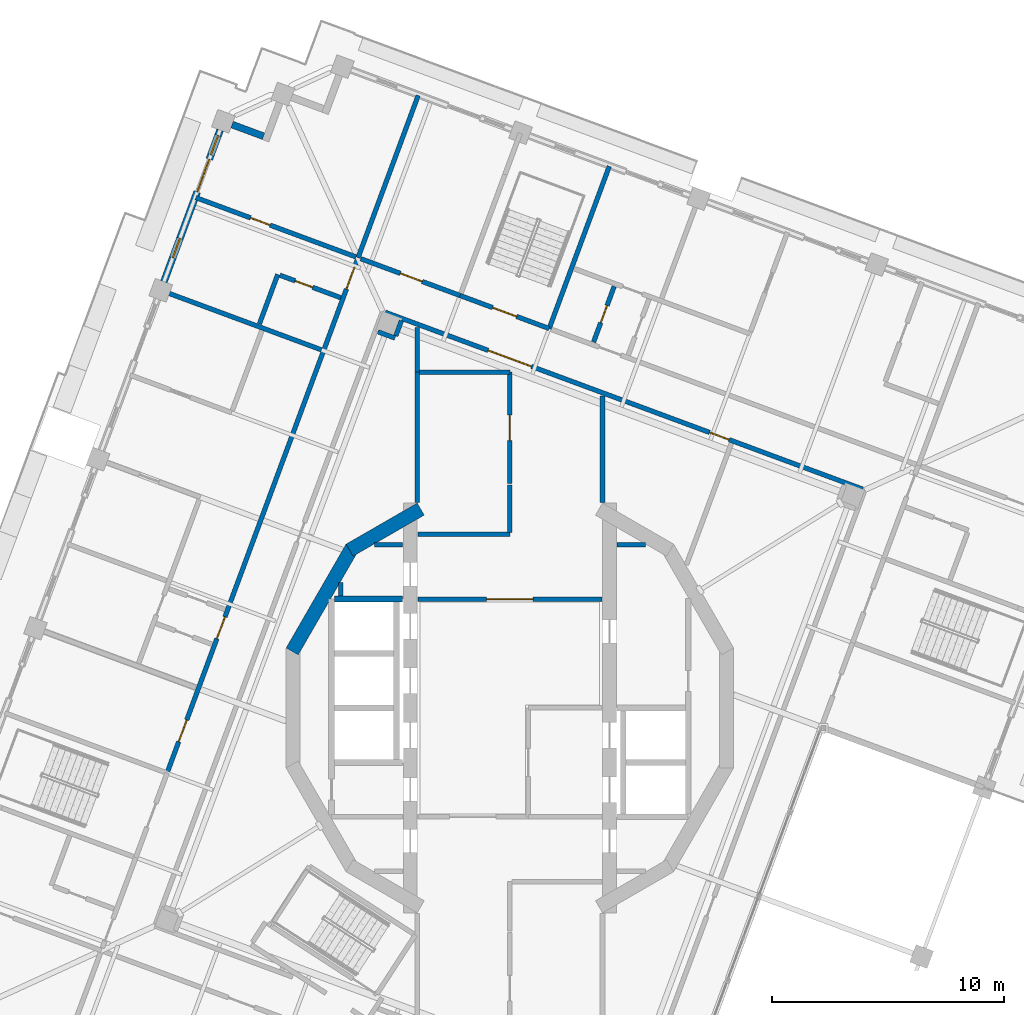
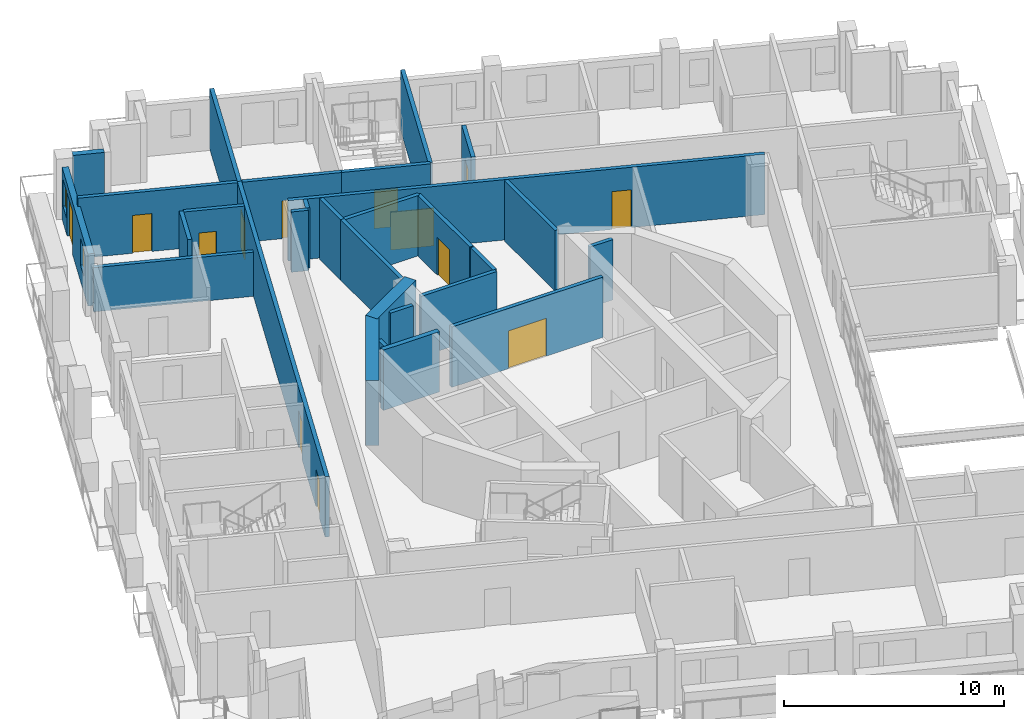
# One storey, part 9 of 19: 29 walls, 13 doors, 2 windows, 15 openings.
"""IFC4 building model written with IfcOpenShell, lengths in metres."""

from ifc_helpers import new_model, si_unit, direction, frame, frame_2d, origin, place, context, subcontext, project, spatial, rectangle, extrude, material, layer, layer_set, type_object, element, fill, save


model = new_model("IFC4")

# Units and contexts
model_context = context("Model", 3, precision=1e-05, world=origin(), true_north=direction((0.0, 1.0)))
body_context = subcontext(model_context, "Body", "Model", "MODEL_VIEW")
ifc_project = project(units=[si_unit("LENGTHUNIT", "METRE"), si_unit("AREAUNIT", "SQUARE_METRE"), si_unit("VOLUMEUNIT", "CUBIC_METRE"), si_unit("PLANEANGLEUNIT", "RADIAN"), si_unit("MASSUNIT", "GRAM", prefix="KILO")], contexts=[model_context])

# Site, building, storey
site_placement = place(None, origin())
site = spatial("IfcSite", under=ifc_project, at=site_placement, CompositionType="ELEMENT")
building_placement = place(site_placement, origin())
building = spatial("IfcBuilding", under=site, at=building_placement, Name="Cantera Rosa Tower", CompositionType="ELEMENT")
storey_placement = place(building_placement, frame((0.0, 0.0, 334.89990234375)))
storey = spatial("IfcBuildingStorey", under=building, at=storey_placement, Name="L75", CompositionType="ELEMENT", Elevation=334.89990234375)

# Wall, openings, doors
ifc_material_1 = material(Name="Gypsum board partition")
ifc_layer_1 = layer(ifc_material_1, 0.199951171875)
ifc_layer_set_1 = layer_set([ifc_layer_1], Name="CORRIDOR WALL 200 H3350")
wall_type_1 = type_object("IfcWallType", Name="CORRIDOR WALL 200 H3350", PredefinedType="PARTITIONING", material=ifc_layer_set_1)
wall_1_placement = place(storey_placement, frame((-6.5537109375, 19.438720703125, 0.0), z_axis=(0.0, 0.0, 1.0), x_axis=(-0.347483565428, -0.937686073138, 0.0)))
wall_1 = element("IfcWall", 1, at=wall_1_placement, inside=storey, type_object=wall_type_1, Name="CORRIDOR WALL L75-036", PredefinedType="PARTITIONING", context=body_context, shape_type="SweptSolid", body=[
    extrude(rectangle(XDim=23.730224609375, YDim=0.199951171875, at=frame_2d((11.865234375, 0.0))), origin(), (0.0, 0.0, 1.0), 3.35009765625),
])
opening_1_placement = place(wall_1_placement, frame((16.5400390625, 0.0, 0.0)))
opening_1 = element("IfcOpeningElement", 2, at=opening_1_placement, cuts=wall_1, Name="Opening L75-028", PredefinedType="OPENING", context=body_context, shape_type="SweptSolid", body=[
    extrude(rectangle(XDim=1.0, YDim=2.10009765625, at=frame_2d((0.5, 1.050048828125))), frame((0.0, 0.10986328125, 0.0), z_axis=(0.0, -1.0, 0.0), x_axis=(1.0, 0.0, 0.0)), (0.0, 0.0, 1.0), 0.219970703125),
])
opening_2_placement = place(wall_1_placement, frame((21.284912109375, 0.0, 0.0)))
opening_2 = element("IfcOpeningElement", 3, at=opening_2_placement, cuts=wall_1, Name="Opening L75-034", PredefinedType="OPENING", context=body_context, shape_type="SweptSolid", body=[
    extrude(rectangle(XDim=1.0, YDim=2.10009765625, at=frame_2d((0.5, 1.050048828125))), frame((0.0, 0.10986328125, 0.0), z_axis=(0.0, -1.0, 0.0), x_axis=(1.0, 0.0, 0.0)), (0.0, 0.0, 1.0), 0.219970703125),
])
opening_3_placement = place(wall_1_placement, frame((0.43994140625, 0.0, 0.0)))
opening_3 = element("IfcOpeningElement", 4, at=opening_3_placement, cuts=wall_1, Name="Opening L75-035", PredefinedType="OPENING", context=body_context, shape_type="SweptSolid", body=[
    extrude(rectangle(XDim=1.0, YDim=2.10009765625, at=frame_2d((0.5, 1.050048828125))), frame((0.0, 0.10986328125, 0.0), z_axis=(0.0, -1.0, 0.0), x_axis=(1.0, 0.0, 0.0)), (0.0, 0.0, 1.0), 0.219970703125),
])
ifc_material_2 = material(Name="Timber door leaf", Category="wood")
door_type_1 = type_object("IfcDoorType", Name="ENTRANCE DOOR 1000x2100", OperationType="NOTDEFINED", PredefinedType="DOOR", material=ifc_material_2)
door_1_placement = place(opening_1_placement, origin())
door_1 = element("IfcDoor", 5, at=door_1_placement, inside=storey, type_object=door_type_1, Name="DOOR L75-028", OperationType="NOTDEFINED", OverallHeight=2.10009765625, OverallWidth=1.0, PredefinedType="DOOR", context=body_context, shape_type="SweptSolid", body=[
    extrude(rectangle(XDim=1.0, YDim=2.10009765625, at=frame_2d((0.5, 1.050048828125))), frame((0.0, 0.02490234375, 0.0), z_axis=(0.0, -1.0, 0.0), x_axis=(1.0, 0.0, 0.0)), (0.0, 0.0, 1.0), 0.050048828125),
])
fill(opening_1, door_1)
door_2_placement = place(opening_3_placement, origin())
door_2 = element("IfcDoor", 6, at=door_2_placement, inside=storey, type_object=door_type_1, Name="DOOR L75-035", OperationType="NOTDEFINED", OverallHeight=2.10009765625, OverallWidth=1.0, PredefinedType="DOOR", context=body_context, shape_type="SweptSolid", body=[
    extrude(rectangle(XDim=1.0, YDim=2.10009765625, at=frame_2d((0.5, 1.050048828125))), frame((0.0, 0.02490234375, 0.0), z_axis=(0.0, -1.0, 0.0), x_axis=(1.0, 0.0, 0.0)), (0.0, 0.0, 1.0), 0.050048828125),
])
fill(opening_3, door_2)
ifc_material_3 = material(Name="Timber door leaf", Category="wood")
door_type_2 = type_object("IfcDoorType", Name="ROOM DOOR 1000x2100", OperationType="NOTDEFINED", PredefinedType="DOOR", material=ifc_material_3)
door_3_placement = place(opening_2_placement, origin())
door_3 = element("IfcDoor", 7, at=door_3_placement, inside=storey, type_object=door_type_2, Name="DOOR L75-034", OperationType="NOTDEFINED", OverallHeight=2.10009765625, OverallWidth=1.0, PredefinedType="DOOR", context=body_context, shape_type="SweptSolid", body=[
    extrude(rectangle(XDim=1.0, YDim=2.10009765625, at=frame_2d((0.5, 1.050048828125))), frame((0.0, 0.02490234375, 0.0), z_axis=(0.0, -1.0, 0.0), x_axis=(1.0, 0.0, 0.0)), (0.0, 0.0, 1.0), 0.050048828125),
])
fill(opening_2, door_3)

# Wall
wall_2_placement = place(storey_placement, frame((-4.0, 16.4326171875, 0.0), z_axis=(0.0, 0.0, 1.0), x_axis=(0.0, -1.0, 0.0)))
element("IfcWall", 8, at=wall_2_placement, inside=storey, type_object=wall_type_1, Name="CORRIDOR WALL L75-054", PredefinedType="PARTITIONING", context=body_context, shape_type="SweptSolid", body=[
    extrude(rectangle(XDim=1.9326171875, YDim=0.199951171875, at=frame_2d((0.96630859375, 0.0))), origin(), (0.0, 0.0, 1.0), 3.35009765625),
])

# Wall, opening, door
wall_3_placement = place(storey_placement, frame((-3.969970703125, 4.699951171875, 0.0), z_axis=(0.0, 0.0, 1.0), x_axis=(1.0, 0.0, 0.0)))
wall_3 = element("IfcWall", 9, at=wall_3_placement, inside=storey, type_object=wall_type_1, Name="CORRIDOR WALL L75-055", PredefinedType="PARTITIONING", context=body_context, shape_type="SweptSolid", body=[
    extrude(rectangle(XDim=7.93994140625, YDim=0.199951171875, at=frame_2d((3.969970703125, 0.0))), origin(), (0.0, 0.0, 1.0), 3.35009765625),
])
opening_4_placement = place(wall_3_placement, frame((2.969970703125, 0.0, 0.0)))
opening_4 = element("IfcOpeningElement", 10, at=opening_4_placement, cuts=wall_3, Name="Opening L75-010", PredefinedType="OPENING", context=body_context, shape_type="SweptSolid", body=[
    extrude(rectangle(XDim=2.0, YDim=2.10009765625, at=frame_2d((1.0, 1.050048828125))), frame((0.0, 0.10986328125, 0.0), z_axis=(0.0, -1.0, 0.0), x_axis=(1.0, 0.0, 0.0)), (0.0, 0.0, 1.0), 0.219970703125),
])
ifc_material_4 = material(Name="Steel S355J2 (EN 10025-2)", Category="steel")
door_type_3 = type_object("IfcDoorType", Name="LOBBY SCREEN DOOR 2000x2100", OperationType="NOTDEFINED", PredefinedType="DOOR", material=ifc_material_4)
door_4_placement = place(opening_4_placement, origin())
door_4 = element("IfcDoor", 11, at=door_4_placement, inside=storey, type_object=door_type_3, Name="DOOR L75-010", OperationType="NOTDEFINED", OverallHeight=2.10009765625, OverallWidth=2.0, PredefinedType="DOOR", context=body_context, shape_type="SweptSolid", body=[
    extrude(rectangle(XDim=2.0, YDim=2.10009765625, at=frame_2d((1.0, 1.050048828125))), frame((0.0, 0.02490234375, 0.0), z_axis=(0.0, -1.0, 0.0), x_axis=(1.0, 0.0, 0.0)), (0.0, 0.0, 1.0), 0.050048828125),
])
fill(opening_4, door_4)

# Wall
wall_4_placement = place(storey_placement, frame((-3.969970703125, 7.5, 0.0), z_axis=(0.0, 0.0, 1.0), x_axis=(1.0, 0.0, 0.0)))
element("IfcWall", 12, at=wall_4_placement, inside=storey, type_object=wall_type_1, Name="CORRIDOR WALL L75-056", PredefinedType="PARTITIONING", context=body_context, shape_type="SweptSolid", body=[
    extrude(rectangle(XDim=3.969970703125, YDim=0.199951171875, at=frame_2d((1.98486328125, 0.0))), origin(), (0.0, 0.0, 1.0), 3.35009765625),
])

# Wall, opening, door
wall_5_placement = place(storey_placement, frame((-2.146728515625, 17.805419921875, 0.0), z_axis=(0.0, 0.0, 1.0), x_axis=(-0.937682514707, 0.347493167721, 0.0)))
wall_5 = element("IfcWall", 13, at=wall_5_placement, inside=storey, type_object=wall_type_1, Name="CORRIDOR WALL L75-060", PredefinedType="PARTITIONING", context=body_context, shape_type="SweptSolid", body=[
    extrude(rectangle(XDim=4.580078125, YDim=0.199951171875, at=frame_2d((2.2900390625, 0.0))), origin(), (0.0, 0.0, 1.0), 3.35009765625),
])
opening_5_placement = place(wall_5_placement, frame((1.75, 0.0, 0.0)))
opening_5 = element("IfcOpeningElement", 14, at=opening_5_placement, cuts=wall_5, Name="Opening L75-027", PredefinedType="OPENING", context=body_context, shape_type="SweptSolid", body=[
    extrude(rectangle(XDim=1.0, YDim=2.10009765625, at=frame_2d((0.5, 1.050048828125))), frame((0.0, 0.10986328125, 0.0), z_axis=(0.0, -1.0, 0.0), x_axis=(1.0, 0.0, 0.0)), (0.0, 0.0, 1.0), 0.219970703125),
])
door_5_placement = place(opening_5_placement, origin())
door_5 = element("IfcDoor", 15, at=door_5_placement, inside=storey, type_object=door_type_2, Name="DOOR L75-027", OperationType="NOTDEFINED", OverallHeight=2.10009765625, OverallWidth=1.0, PredefinedType="DOOR", context=body_context, shape_type="SweptSolid", body=[
    extrude(rectangle(XDim=1.0, YDim=2.10009765625, at=frame_2d((0.5, 1.050048828125))), frame((0.0, 0.02490234375, 0.0), z_axis=(0.0, -1.0, 0.0), x_axis=(1.0, 0.0, 0.0)), (0.0, 0.0, 1.0), 0.050048828125),
])
fill(opening_5, door_5)

# Wall
wall_6_placement = place(storey_placement, frame((0.0, 7.580078125, 0.0), z_axis=(0.0, 0.0, 1.0), x_axis=(0.0, 1.0, 0.0)))
element("IfcWall", 16, at=wall_6_placement, inside=storey, type_object=wall_type_1, Name="CORRIDOR WALL L75-065", PredefinedType="PARTITIONING", context=body_context, shape_type="SweptSolid", body=[
    extrude(rectangle(XDim=2.04931640625, YDim=0.199951171875, at=frame_2d((1.024658203125, 0.0))), origin(), (0.0, 0.0, 1.0), 3.35009765625),
])

# Wall, opening, door
wall_7_placement = place(storey_placement, frame((0.0, 9.689208984375, 0.0), z_axis=(0.0, 0.0, 1.0), x_axis=(0.0, 1.0, 0.0)))
wall_7 = element("IfcWall", 17, at=wall_7_placement, inside=storey, type_object=wall_type_1, Name="CORRIDOR WALL L75-066", PredefinedType="PARTITIONING", context=body_context, shape_type="SweptSolid", body=[
    extrude(rectangle(XDim=4.810791015625, YDim=0.199951171875, at=frame_2d((2.4052734375, 0.0))), origin(), (0.0, 0.0, 1.0), 3.35009765625),
])
opening_6_placement = place(wall_7_placement, frame((1.85546875, 0.0, 0.0)))
opening_6 = element("IfcOpeningElement", 18, at=opening_6_placement, cuts=wall_7, Name="Opening L75-014", PredefinedType="OPENING", context=body_context, shape_type="SweptSolid", body=[
    extrude(rectangle(XDim=1.10009765625, YDim=2.10009765625, at=frame_2d((0.550048828125, 1.050048828125))), frame((0.0, 0.10986328125, 0.0), z_axis=(0.0, -1.0, 0.0), x_axis=(1.0, 0.0, 0.0)), (0.0, 0.0, 1.0), 0.219970703125),
])
ifc_material_5 = material(Name="Timber door leaf", Category="wood")
door_type_4 = type_object("IfcDoorType", Name="ROOM DOOR 1100x2100", OperationType="NOTDEFINED", PredefinedType="DOOR", material=ifc_material_5)
door_6_placement = place(opening_6_placement, origin())
door_6 = element("IfcDoor", 19, at=door_6_placement, inside=storey, type_object=door_type_4, Name="DOOR L75-014", OperationType="NOTDEFINED", OverallHeight=2.10009765625, OverallWidth=1.10009765625, PredefinedType="DOOR", context=body_context, shape_type="SweptSolid", body=[
    extrude(rectangle(XDim=1.10009765625, YDim=2.10009765625, at=frame_2d((0.550048828125, 1.050048828125))), frame((0.0, 0.02490234375, 0.0), z_axis=(0.0, -1.0, 0.0), x_axis=(1.0, 0.0, 0.0)), (0.0, 0.0, 1.0), 0.050048828125),
])
fill(opening_6, door_6)

# Walls
wall_8_placement = place(storey_placement, frame((0.0, 14.5, 0.0), z_axis=(0.0, 0.0, 1.0), x_axis=(-1.0, 0.0, 0.0)))
element("IfcWall", 20, at=wall_8_placement, inside=storey, type_object=wall_type_1, Name="CORRIDOR WALL L75-067", PredefinedType="PARTITIONING", context=body_context, shape_type="SweptSolid", body=[
    extrude(rectangle(XDim=3.89990234375, YDim=0.199951171875, at=frame_2d((1.949951171875, 0.0))), origin(), (0.0, 0.0, 1.0), 3.35009765625),
])
wall_9_placement = place(storey_placement, frame((4.0, 8.87890625, 0.0), z_axis=(0.0, 0.0, 1.0), x_axis=(0.0, 1.0, 0.0)))
element("IfcWall", 21, at=wall_9_placement, inside=storey, type_object=wall_type_1, Name="CORRIDOR WALL L75-079", PredefinedType="PARTITIONING", context=body_context, shape_type="SweptSolid", body=[
    extrude(rectangle(XDim=4.589111328125, YDim=0.199951171875, at=frame_2d((2.29443359375, 0.0))), origin(), (0.0, 0.0, 1.0), 3.35009765625),
])

# Wall, openings, doors
wall_10_placement = place(storey_placement, frame((15.2314453125, 9.446044921875, 0.0), z_axis=(0.0, 0.0, 1.0), x_axis=(-0.93768965935, 0.347473887864, 0.0)))
wall_10 = element("IfcWall", 22, at=wall_10_placement, inside=storey, type_object=wall_type_1, Name="CORRIDOR WALL L75-107", PredefinedType="PARTITIONING", context=body_context, shape_type="SweptSolid", body=[
    extrude(rectangle(XDim=21.97998046875, YDim=0.199951171875, at=frame_2d((10.989990234375, 0.0))), origin(), (0.0, 0.0, 1.0), 3.35009765625),
])
opening_7_placement = place(wall_10_placement, frame((6.14990234375, 0.0, 0.0)))
opening_7 = element("IfcOpeningElement", 23, at=opening_7_placement, cuts=wall_10, Name="Opening L75-008", PredefinedType="OPENING", context=body_context, shape_type="SweptSolid", body=[
    extrude(rectangle(XDim=0.89990234375, YDim=2.10009765625, at=frame_2d((0.449951171875, 1.050048828125))), frame((0.0, 0.10986328125, 0.0), z_axis=(0.0, -1.0, 0.0), x_axis=(1.0, 0.0, 0.0)), (0.0, 0.0, 1.0), 0.219970703125),
])
opening_8_placement = place(wall_10_placement, frame((15.24365234375, 0.0, 0.0)))
opening_8 = element("IfcOpeningElement", 24, at=opening_8_placement, cuts=wall_10, Name="Opening L75-009", PredefinedType="OPENING", context=body_context, shape_type="SweptSolid", body=[
    extrude(rectangle(XDim=2.0, YDim=2.10009765625, at=frame_2d((1.0, 1.050048828125))), frame((0.0, 0.10986328125, 0.0), z_axis=(0.0, -1.0, 0.0), x_axis=(1.0, 0.0, 0.0)), (0.0, 0.0, 1.0), 0.219970703125),
])
door_7_placement = place(opening_8_placement, origin())
door_7 = element("IfcDoor", 25, at=door_7_placement, inside=storey, type_object=door_type_3, Name="DOOR L75-009", OperationType="NOTDEFINED", OverallHeight=2.10009765625, OverallWidth=2.0, PredefinedType="DOOR", context=body_context, shape_type="SweptSolid", body=[
    extrude(rectangle(XDim=2.0, YDim=2.10009765625, at=frame_2d((1.0, 1.050048828125))), frame((0.0, 0.02490234375, 0.0), z_axis=(0.0, -1.0, 0.0), x_axis=(1.0, 0.0, 0.0)), (0.0, 0.0, 1.0), 0.050048828125),
])
fill(opening_8, door_7)
ifc_material_6 = material(Name="Timber door leaf", Category="wood")
door_type_5 = type_object("IfcDoorType", Name="SERVICE DOOR 900x2100", OperationType="NOTDEFINED", PredefinedType="DOOR", material=ifc_material_6)
door_8_placement = place(opening_7_placement, origin())
door_8 = element("IfcDoor", 26, at=door_8_placement, inside=storey, type_object=door_type_5, Name="DOOR L75-008", OperationType="NOTDEFINED", OverallHeight=2.10009765625, OverallWidth=0.89990234375, PredefinedType="DOOR", context=body_context, shape_type="SweptSolid", body=[
    extrude(rectangle(XDim=0.89990234375, YDim=2.10009765625, at=frame_2d((0.449951171875, 1.050048828125))), frame((0.0, 0.02490234375, 0.0), z_axis=(0.0, -1.0, 0.0), x_axis=(1.0, 0.0, 0.0)), (0.0, 0.0, 1.0), 0.050048828125),
])
fill(opening_7, door_8)

# Wall
ifc_material_7 = material(Name="Hollow clay masonry with cantera stone cladding", Category="masonry")
ifc_layer_2 = layer(ifc_material_7, 0.300048828125)
ifc_layer_set_2 = layer_set([ifc_layer_2], Name="EW-LOGGIA 300")
wall_type_2 = type_object("IfcWallType", Name="EW-LOGGIA 300", PredefinedType="SOLIDWALL", material=ifc_layer_set_2)
wall_11_placement = place(storey_placement, frame((-10.635498046875, 24.683837890625, 0.0), z_axis=(0.0, 0.0, 1.0), x_axis=(-0.937671557958, 0.347522732201, 0.0)))
element("IfcWall", 27, at=wall_11_placement, inside=storey, type_object=wall_type_2, Name="EN-L75-W06b", PredefinedType="SOLIDWALL", context=body_context, shape_type="SweptSolid", body=[
    extrude(rectangle(XDim=1.449951171875, YDim=0.300048828125, at=frame_2d((0.72509765625, 0.0))), origin(), (0.0, 0.0, 1.0), 3.300048828125),
])

# Wall, openings, windows, door
ifc_material_8 = material(Name="Hollow clay masonry with cantera stone cladding", Category="masonry")
ifc_layer_3 = layer(ifc_material_8, 0.300048828125)
ifc_layer_set_3 = layer_set([ifc_layer_3], Name="EW-LOGGIA 300 H2890")
wall_type_3 = type_object("IfcWallType", Name="EW-LOGGIA 300 H2890", PredefinedType="SOLIDWALL", material=ifc_layer_set_3)
wall_12_placement = place(storey_placement, frame((-12.50927734375, 24.95166015625, 0.0), z_axis=(0.0, 0.0, 1.0), x_axis=(-0.347490919506, -0.937683347864, 0.0)))
wall_12 = element("IfcWall", 28, at=wall_12_placement, inside=storey, type_object=wall_type_3, Name="EN-L75-W07", PredefinedType="SOLIDWALL", context=body_context, shape_type="SweptSolid", body=[
    extrude(rectangle(XDim=6.980224609375, YDim=0.300048828125, at=frame_2d((3.490234375, 0.0))), origin(), (0.0, 0.0, 1.0), 2.89013671875),
])
opening_9_placement = place(wall_12_placement, frame((0.2451171875, 0.0, 0.89990234375)))
opening_9 = element("IfcOpeningElement", 29, at=opening_9_placement, cuts=wall_12, Name="Opening L75-W13", PredefinedType="OPENING", context=body_context, shape_type="SweptSolid", body=[
    extrude(rectangle(XDim=0.89990234375, YDim=1.5, at=frame_2d((0.449951171875, 0.75))), frame((0.0, 0.159912109375, 0.0), z_axis=(0.0, -1.0, 0.0), x_axis=(1.0, 0.0, 0.0)), (0.0, 0.0, 1.0), 0.320068359375),
])
opening_10_placement = place(wall_12_placement, frame((1.344970703125, 0.0, 0.0)))
opening_10 = element("IfcOpeningElement", 30, at=opening_10_placement, cuts=wall_12, Name="Opening L75-TD14", PredefinedType="OPENING", context=body_context, shape_type="SweptSolid", body=[
    extrude(rectangle(XDim=1.5, YDim=2.39990234375, at=frame_2d((0.75, 1.199951171875))), frame((0.0, 0.159912109375, 0.0), z_axis=(0.0, -1.0, 0.0), x_axis=(1.0, 0.0, 0.0)), (0.0, 0.0, 1.0), 0.320068359375),
])
opening_11_placement = place(wall_12_placement, frame((4.985107421875, 0.0, 0.89990234375)))
opening_11 = element("IfcOpeningElement", 31, at=opening_11_placement, cuts=wall_12, Name="Opening L75-W15", PredefinedType="OPENING", context=body_context, shape_type="SweptSolid", body=[
    extrude(rectangle(XDim=0.89990234375, YDim=1.5, at=frame_2d((0.449951171875, 0.75))), frame((0.0, 0.159912109375, 0.0), z_axis=(0.0, -1.0, 0.0), x_axis=(1.0, 0.0, 0.0)), (0.0, 0.0, 1.0), 0.320068359375),
])
ifc_material_9 = material(Name="Aluminium frame with clear glass", Category="aluminium")
window_type = type_object("IfcWindowType", Name="Residential window 900x1500", PartitioningType="SINGLE_PANEL", PredefinedType="WINDOW", material=ifc_material_9)
window_1_placement = place(opening_9_placement, origin())
window_1 = element("IfcWindow", 32, at=window_1_placement, inside=storey, type_object=window_type, Name="WINDOW L75-W13", OverallHeight=1.5, OverallWidth=0.89990234375, PartitioningType="SINGLE_PANEL", PredefinedType="WINDOW", context=body_context, shape_type="SweptSolid", body=[
    extrude(rectangle(XDim=0.89990234375, YDim=1.5, at=frame_2d((0.449951171875, 0.75))), frame((0.0, 0.030029296875, 0.0), z_axis=(0.0, -1.0, 0.0), x_axis=(1.0, 0.0, 0.0)), (0.0, 0.0, 1.0), 0.06005859375),
])
fill(opening_9, window_1)
window_2_placement = place(opening_11_placement, origin())
window_2 = element("IfcWindow", 33, at=window_2_placement, inside=storey, type_object=window_type, Name="WINDOW L75-W15", OverallHeight=1.5, OverallWidth=0.89990234375, PartitioningType="SINGLE_PANEL", PredefinedType="WINDOW", context=body_context, shape_type="SweptSolid", body=[
    extrude(rectangle(XDim=0.89990234375, YDim=1.5, at=frame_2d((0.449951171875, 0.75))), frame((0.0, 0.030029296875, 0.0), z_axis=(0.0, -1.0, 0.0), x_axis=(1.0, 0.0, 0.0)), (0.0, 0.0, 1.0), 0.06005859375),
])
fill(opening_11, window_2)
ifc_material_10 = material(Name="Aluminium frame with clear glass", Category="aluminium")
door_type_6 = type_object("IfcDoorType", Name="TD-R 1500x2400", OperationType="NOTDEFINED", PredefinedType="DOOR", material=ifc_material_10)
door_9_placement = place(opening_10_placement, origin())
door_9 = element("IfcDoor", 34, at=door_9_placement, inside=storey, type_object=door_type_6, Name="LOGGIA DOOR L75-TD14", OperationType="SLIDING_TO_LEFT", OverallHeight=2.39990234375, OverallWidth=1.5, PredefinedType="DOOR", context=body_context, shape_type="SweptSolid", body=[
    extrude(rectangle(XDim=1.5, YDim=2.39990234375, at=frame_2d((0.75, 1.199951171875))), frame((0.0, 0.02490234375, 0.0), z_axis=(0.0, -1.0, 0.0), x_axis=(1.0, 0.0, 0.0)), (0.0, 0.0, 1.0), 0.050048828125),
])
fill(opening_10, door_9)

# Wall
ifc_material_11 = material(Name="Gypsum board partition")
ifc_layer_4 = layer(ifc_material_11, 0.199951171875)
ifc_layer_set_4 = layer_set([ifc_layer_4], Name="PARTITION 200 H3350")
wall_type_4 = type_object("IfcWallType", Name="PARTITION 200 H3350", PredefinedType="PARTITIONING", material=ifc_layer_set_4)
wall_13_placement = place(storey_placement, frame((-10.8125, 16.580322265625, 0.0), z_axis=(0.0, 0.0, 1.0), x_axis=(0.347471288185, 0.937690622693, 0.0)))
element("IfcWall", 35, at=wall_13_placement, inside=storey, type_object=wall_type_4, Name="PARTITION L75-024", PredefinedType="PARTITIONING", context=body_context, shape_type="SweptSolid", body=[
    extrude(rectangle(XDim=2.280029296875, YDim=0.199951171875, at=frame_2d((1.14013671875, 0.0))), origin(), (0.0, 0.0, 1.0), 3.35009765625),
])

# Wall, opening, door
wall_14_placement = place(storey_placement, frame((-9.926513671875, 18.68359375, 0.0), z_axis=(0.0, 0.0, 1.0), x_axis=(0.937673016978, -0.347518795507, 0.0)))
wall_14 = element("IfcWall", 36, at=wall_14_placement, inside=storey, type_object=wall_type_4, Name="PARTITION L75-027", PredefinedType="PARTITIONING", context=body_context, shape_type="SweptSolid", body=[
    extrude(rectangle(XDim=2.80029296875, YDim=0.199951171875, at=frame_2d((1.400146484375, 0.0))), origin(), (0.0, 0.0, 1.0), 3.35009765625),
])
opening_12_placement = place(wall_14_placement, frame((0.699951171875, 0.0, 0.0)))
opening_12 = element("IfcOpeningElement", 37, at=opening_12_placement, cuts=wall_14, Name="Opening L75-036", PredefinedType="OPENING", context=body_context, shape_type="SweptSolid", body=[
    extrude(rectangle(XDim=0.800048828125, YDim=2.10009765625, at=frame_2d((0.39990234375, 1.050048828125))), frame((0.0, 0.10986328125, 0.0), z_axis=(0.0, -1.0, 0.0), x_axis=(1.0, 0.0, 0.0)), (0.0, 0.0, 1.0), 0.219970703125),
])
ifc_material_12 = material(Name="Timber door leaf", Category="wood")
door_type_7 = type_object("IfcDoorType", Name="BATHROOM DOOR 800x2100", OperationType="NOTDEFINED", PredefinedType="DOOR", material=ifc_material_12)
door_10_placement = place(opening_12_placement, origin())
door_10 = element("IfcDoor", 38, at=door_10_placement, inside=storey, type_object=door_type_7, Name="DOOR L75-036", OperationType="NOTDEFINED", OverallHeight=2.10009765625, OverallWidth=0.800048828125, PredefinedType="DOOR", context=body_context, shape_type="SweptSolid", body=[
    extrude(rectangle(XDim=0.800048828125, YDim=2.10009765625, at=frame_2d((0.39990234375, 1.050048828125))), frame((0.0, 0.02490234375, 0.0), z_axis=(0.0, -1.0, 0.0), x_axis=(1.0, 0.0, 0.0)), (0.0, 0.0, 1.0), 0.050048828125),
])
fill(opening_12, door_10)

# Wall
wall_15_placement = place(storey_placement, frame((-7.300048828125, 4.824951171875, 0.0), z_axis=(0.0, 0.0, 1.0), x_axis=(0.0, 1.0, 0.0)))
element("IfcWall", 39, at=wall_15_placement, inside=storey, type_object=wall_type_4, Name="PARTITION L75-035", PredefinedType="PARTITIONING", context=body_context, shape_type="SweptSolid", body=[
    extrude(rectangle(XDim=0.589599609375, YDim=0.199951171875, at=frame_2d((0.294921875, 0.0))), origin(), (0.0, 0.0, 1.0), 3.35009765625),
])

# Wall, opening, door
wall_16_placement = place(storey_placement, frame((-6.647705078125, 19.473388671875, 0.0), z_axis=(0.0, 0.0, 1.0), x_axis=(-0.937691605032, 0.347468637221, 0.0)))
wall_16 = element("IfcWall", 40, at=wall_16_placement, inside=storey, type_object=wall_type_4, Name="PARTITION L75-037", PredefinedType="PARTITIONING", context=body_context, shape_type="SweptSolid", body=[
    extrude(rectangle(XDim=7.369873046875, YDim=0.199951171875, at=frame_2d((3.68505859375, 0.0))), origin(), (0.0, 0.0, 1.0), 3.35009765625),
])
opening_13_placement = place(wall_16_placement, frame((3.949951171875, 0.0, 0.0)))
opening_13 = element("IfcOpeningElement", 41, at=opening_13_placement, cuts=wall_16, Name="Opening L75-037", PredefinedType="OPENING", context=body_context, shape_type="SweptSolid", body=[
    extrude(rectangle(XDim=0.89990234375, YDim=2.10009765625, at=frame_2d((0.449951171875, 1.050048828125))), frame((0.0, 0.10986328125, 0.0), z_axis=(0.0, -1.0, 0.0), x_axis=(1.0, 0.0, 0.0)), (0.0, 0.0, 1.0), 0.219970703125),
])
ifc_material_13 = material(Name="Timber door leaf", Category="wood")
door_type_8 = type_object("IfcDoorType", Name="ROOM DOOR 900x2100", OperationType="NOTDEFINED", PredefinedType="DOOR", material=ifc_material_13)
door_11_placement = place(opening_13_placement, origin())
door_11 = element("IfcDoor", 42, at=door_11_placement, inside=storey, type_object=door_type_8, Name="DOOR L75-037", OperationType="NOTDEFINED", OverallHeight=2.10009765625, OverallWidth=0.89990234375, PredefinedType="DOOR", context=body_context, shape_type="SweptSolid", body=[
    extrude(rectangle(XDim=0.89990234375, YDim=2.10009765625, at=frame_2d((0.449951171875, 1.050048828125))), frame((0.0, 0.02490234375, 0.0), z_axis=(0.0, -1.0, 0.0), x_axis=(1.0, 0.0, 0.0)), (0.0, 0.0, 1.0), 0.050048828125),
])
fill(opening_13, door_11)

# Walls
wall_17_placement = place(storey_placement, frame((-5.84765625, 7.050048828125, 0.0), z_axis=(0.0, 0.0, 1.0), x_axis=(1.0, 0.0, 0.0)))
element("IfcWall", 43, at=wall_17_placement, inside=storey, type_object=wall_type_4, Name="PARTITION L75-040", PredefinedType="PARTITIONING", context=body_context, shape_type="SweptSolid", body=[
    extrude(rectangle(XDim=1.2177734375, YDim=0.199951171875, at=frame_2d((0.60888671875, 0.0))), origin(), (0.0, 0.0, 1.0), 3.35009765625),
])
wall_18_placement = place(storey_placement, frame((-5.691650390625, 16.23974609375, 0.0), z_axis=(0.0, 0.0, 1.0), x_axis=(0.93771100034, -0.347416291848, 0.0)))
element("IfcWall", 44, at=wall_18_placement, inside=storey, type_object=wall_type_4, Name="PARTITION L75-041", PredefinedType="PARTITIONING", context=body_context, shape_type="SweptSolid", body=[
    extrude(rectangle(XDim=0.780029296875, YDim=0.199951171875, at=frame_2d((0.39013671875, 0.0))), origin(), (0.0, 0.0, 1.0), 3.35009765625),
])
wall_19_placement = place(storey_placement, frame((-4.925537109375, 16.0625, 0.0), z_axis=(0.0, 0.0, 1.0), x_axis=(0.347450692477, 0.937698254396, 0.0)))
element("IfcWall", 45, at=wall_19_placement, inside=storey, type_object=wall_type_4, Name="PARTITION L75-046", PredefinedType="PARTITIONING", context=body_context, shape_type="SweptSolid", body=[
    extrude(rectangle(XDim=0.699951171875, YDim=0.199951171875, at=frame_2d((0.35009765625, 0.0))), origin(), (0.0, 0.0, 1.0), 3.35009765625),
])
wall_20_placement = place(storey_placement, frame((-4.0, 14.5, 0.0), z_axis=(0.0, 0.0, 1.0), x_axis=(0.0, -1.0, 0.0)))
element("IfcWall", 46, at=wall_20_placement, inside=storey, type_object=wall_type_4, Name="PARTITION L75-053", PredefinedType="PARTITIONING", context=body_context, shape_type="SweptSolid", body=[
    extrude(rectangle(XDim=5.62109375, YDim=0.199951171875, at=frame_2d((2.810546875, 0.0))), origin(), (0.0, 0.0, 1.0), 3.35009765625),
])

# Wall, opening, door
wall_21_placement = place(storey_placement, frame((4.50439453125, 18.19873046875, 0.0), z_axis=(0.0, 0.0, 1.0), x_axis=(-0.347441707582, -0.937701583571, 0.0)))
wall_21 = element("IfcWall", 47, at=wall_21_placement, inside=storey, type_object=wall_type_4, Name="PARTITION L75-080", PredefinedType="PARTITIONING", context=body_context, shape_type="SweptSolid", body=[
    extrude(rectangle(XDim=2.559814453125, YDim=0.199951171875, at=frame_2d((1.27978515625, 0.0))), origin(), (0.0, 0.0, 1.0), 3.35009765625),
])
opening_14_placement = place(wall_21_placement, frame((0.8798828125, 0.0, 0.0)))
opening_14 = element("IfcOpeningElement", 48, at=opening_14_placement, cuts=wall_21, Name="Opening L75-022", PredefinedType="OPENING", context=body_context, shape_type="SweptSolid", body=[
    extrude(rectangle(XDim=0.800048828125, YDim=2.10009765625, at=frame_2d((0.39990234375, 1.050048828125))), frame((0.0, 0.10986328125, 0.0), z_axis=(0.0, -1.0, 0.0), x_axis=(1.0, 0.0, 0.0)), (0.0, 0.0, 1.0), 0.219970703125),
])
door_12_placement = place(opening_14_placement, origin())
door_12 = element("IfcDoor", 49, at=door_12_placement, inside=storey, type_object=door_type_7, Name="DOOR L75-022", OperationType="NOTDEFINED", OverallHeight=2.10009765625, OverallWidth=0.800048828125, PredefinedType="DOOR", context=body_context, shape_type="SweptSolid", body=[
    extrude(rectangle(XDim=0.800048828125, YDim=2.10009765625, at=frame_2d((0.39990234375, 1.050048828125))), frame((0.0, 0.02490234375, 0.0), z_axis=(0.0, -1.0, 0.0), x_axis=(1.0, 0.0, 0.0)), (0.0, 0.0, 1.0), 0.050048828125),
])
fill(opening_14, door_12)

# Walls
wall_22_placement = place(storey_placement, frame((4.6298828125, 7.050048828125, 0.0), z_axis=(0.0, 0.0, 1.0), x_axis=(1.0, 0.0, 0.0)))
element("IfcWall", 50, at=wall_22_placement, inside=storey, type_object=wall_type_4, Name="PARTITION L75-082", PredefinedType="PARTITIONING", context=body_context, shape_type="SweptSolid", body=[
    extrude(rectangle(XDim=1.2177734375, YDim=0.199951171875, at=frame_2d((0.60888671875, 0.0))), origin(), (0.0, 0.0, 1.0), 3.35009765625),
])
ifc_material_14 = material(Name="Gypsum board partition")
ifc_layer_5 = layer(ifc_material_14, 0.199951171875)
ifc_layer_set_5 = layer_set([ifc_layer_5], Name="PARTY WALL 200 H2450")
wall_type_5 = type_object("IfcWallType", Name="PARTY WALL 200 H2450", PredefinedType="PARTITIONING", material=ifc_layer_set_5)
wall_23_placement = place(storey_placement, frame((-15.045654296875, 18.02099609375, 0.0), z_axis=(0.0, 0.0, 1.0), x_axis=(0.937695604411, -0.347457844161, 0.0)))
element("IfcWall", 51, at=wall_23_placement, inside=storey, type_object=wall_type_5, Name="PARTY WALL L75-014", PredefinedType="PARTITIONING", context=body_context, shape_type="SweptSolid", body=[
    extrude(rectangle(XDim=7.3701171875, YDim=0.199951171875, at=frame_2d((3.68505859375, 0.0))), origin(), (0.0, 0.0, 1.0), 2.4501953125),
])
ifc_material_15 = material(Name="Gypsum board partition")
ifc_layer_6 = layer(ifc_material_15, 0.199951171875)
ifc_layer_set_6 = layer_set([ifc_layer_6], Name="PARTY WALL 200 H3350")
wall_type_6 = type_object("IfcWallType", Name="PARTY WALL 200 H3350", PredefinedType="PARTITIONING", material=ifc_layer_set_6)
wall_24_placement = place(storey_placement, frame((-6.5537109375, 19.438720703125, 0.0), z_axis=(0.0, 0.0, 1.0), x_axis=(0.347460186276, 0.93769473655, 0.0)))
element("IfcWall", 52, at=wall_24_placement, inside=storey, type_object=wall_type_6, Name="PARTY WALL L75-038", PredefinedType="PARTITIONING", context=body_context, shape_type="SweptSolid", body=[
    extrude(rectangle(XDim=7.4697265625, YDim=0.199951171875, at=frame_2d((3.73486328125, 0.0))), origin(), (0.0, 0.0, 1.0), 3.35009765625),
])
ifc_material_16 = material(Name="Concrete C50/60", Category="concrete")
ifc_layer_7 = layer(ifc_material_16, 0.60009765625)
ifc_layer_set_7 = layer_set([ifc_layer_7], Name="RC CORE WALL 600 C50/60")
wall_type_7 = type_object("IfcWallType", Name="RC CORE WALL 600 C50/60", PredefinedType="SHEAR", material=ifc_layer_set_7)
wall_25_placement = place(storey_placement, frame((-9.3994140625, 2.438232421875, 0.0), z_axis=(0.0, 0.0, 1.0), x_axis=(0.499989188378, 0.866031645787, 0.0)))
element("IfcWall", 53, at=wall_25_placement, inside=storey, type_object=wall_type_7, Name="CW-W4 L75", PredefinedType="SHEAR", context=body_context, shape_type="SweptSolid", body=[
    extrude(rectangle(XDim=5.17626953125, YDim=0.60009765625, at=frame_2d((2.588134765625, 0.0))), origin(), (0.0, 0.0, 1.0), 3.60009765625),
])
wall_26_placement = place(storey_placement, frame((-6.921142578125, 6.811279296875, 0.0), z_axis=(0.0, 0.0, 1.0), x_axis=(0.866039982607, 0.499974747889, 0.0)))
element("IfcWall", 54, at=wall_26_placement, inside=storey, type_object=wall_type_7, Name="CW-W5 L75", PredefinedType="SHEAR", context=body_context, shape_type="SweptSolid", body=[
    extrude(rectangle(XDim=3.546142578125, YDim=0.60009765625, at=frame_2d((1.77294921875, 0.0))), origin(), (0.0, 0.0, 1.0), 3.60009765625),
])
ifc_material_17 = material(Name="Masonry blockwork", Category="masonry")
ifc_layer_8 = layer(ifc_material_17, 0.25)
ifc_layer_set_8 = layer_set([ifc_layer_8], Name="SHAFT WALL 250 H3350")
wall_type_8 = type_object("IfcWallType", Name="SHAFT WALL 250 H3350", PredefinedType="SOLIDWALL", material=ifc_layer_set_8)
wall_27_placement = place(storey_placement, frame((-7.580078125, 4.699951171875, 0.0), z_axis=(0.0, 0.0, 1.0), x_axis=(1.0, 0.0, 0.0)))
element("IfcWall", 55, at=wall_27_placement, inside=storey, type_object=wall_type_8, Name="SHAFT WALL L75-034", PredefinedType="SOLIDWALL", context=body_context, shape_type="SweptSolid", body=[
    extrude(rectangle(XDim=2.9501953125, YDim=0.25, at=frame_2d((1.47509765625, 0.0))), origin(), (0.0, 0.0, 1.0), 3.35009765625),
])

# Wall, opening, door
ifc_material_18 = material(Name="Concrete C50/60", Category="concrete")
ifc_layer_9 = layer(ifc_material_18, 0.199951171875)
ifc_layer_set_9 = layer_set([ifc_layer_9], Name="STAIR WALL 200 H3350")
wall_type_9 = type_object("IfcWallType", Name="STAIR WALL 200 H3350", PredefinedType="SOLIDWALL", material=ifc_layer_set_9)
wall_28_placement = place(storey_placement, frame((-2.146728515625, 17.805419921875, 0.0), z_axis=(0.0, 0.0, 1.0), x_axis=(0.937694876531, -0.347459808507, 0.0)))
wall_28 = element("IfcWall", 56, at=wall_28_placement, inside=storey, type_object=wall_type_9, Name="STAIR WALL L75-061", PredefinedType="SOLIDWALL", context=body_context, shape_type="SweptSolid", body=[
    extrude(rectangle(XDim=4.099853515625, YDim=0.199951171875, at=frame_2d((2.0498046875, 0.0))), origin(), (0.0, 0.0, 1.0), 3.35009765625),
])
opening_15_placement = place(wall_28_placement, frame((1.5, 0.0, 0.0)))
opening_15 = element("IfcOpeningElement", 57, at=opening_15_placement, cuts=wall_28, Name="Opening L75-002", PredefinedType="OPENING", context=body_context, shape_type="SweptSolid", body=[
    extrude(rectangle(XDim=1.10009765625, YDim=2.10009765625, at=frame_2d((0.550048828125, 1.050048828125))), frame((0.0, 0.10986328125, 0.0), z_axis=(0.0, -1.0, 0.0), x_axis=(1.0, 0.0, 0.0)), (0.0, 0.0, 1.0), 0.219970703125),
])
ifc_material_19 = material(Name="Steel S355J2 (EN 10025-2)", Category="steel")
door_type_9 = type_object("IfcDoorType", Name="STAIR DOOR 1100x2100", OperationType="NOTDEFINED", PredefinedType="DOOR", material=ifc_material_19)
door_13_placement = place(opening_15_placement, origin())
door_13 = element("IfcDoor", 58, at=door_13_placement, inside=storey, type_object=door_type_9, Name="DOOR L75-002", OperationType="NOTDEFINED", OverallHeight=2.10009765625, OverallWidth=1.10009765625, PredefinedType="DOOR", context=body_context, shape_type="SweptSolid", body=[
    extrude(rectangle(XDim=1.10009765625, YDim=2.10009765625, at=frame_2d((0.550048828125, 1.050048828125))), frame((0.0, 0.02490234375, 0.0), z_axis=(0.0, -1.0, 0.0), x_axis=(1.0, 0.0, 0.0)), (0.0, 0.0, 1.0), 0.050048828125),
])
fill(opening_15, door_13)

# Wall
wall_29_placement = place(storey_placement, frame((1.69775390625, 16.380859375, 0.0), z_axis=(0.0, 0.0, 1.0), x_axis=(0.347488923611, 0.937684087509, 0.0)))
element("IfcWall", 59, at=wall_29_placement, inside=storey, type_object=wall_type_9, Name="STAIR WALL L75-072", PredefinedType="SOLIDWALL", context=body_context, shape_type="SweptSolid", body=[
    extrude(rectangle(XDim=7.469970703125, YDim=0.199951171875, at=frame_2d((3.73486328125, 0.0))), origin(), (0.0, 0.0, 1.0), 3.35009765625),
])

save(model, "model.ifc")
